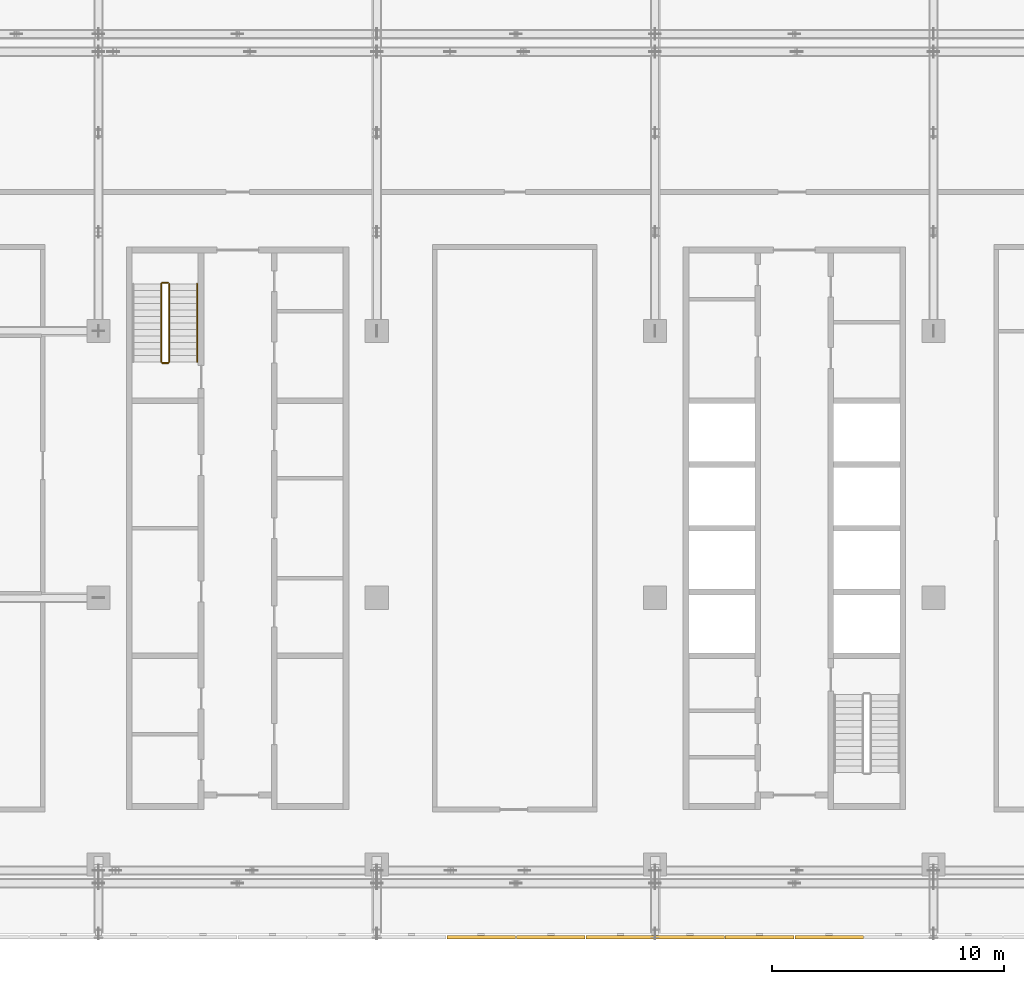
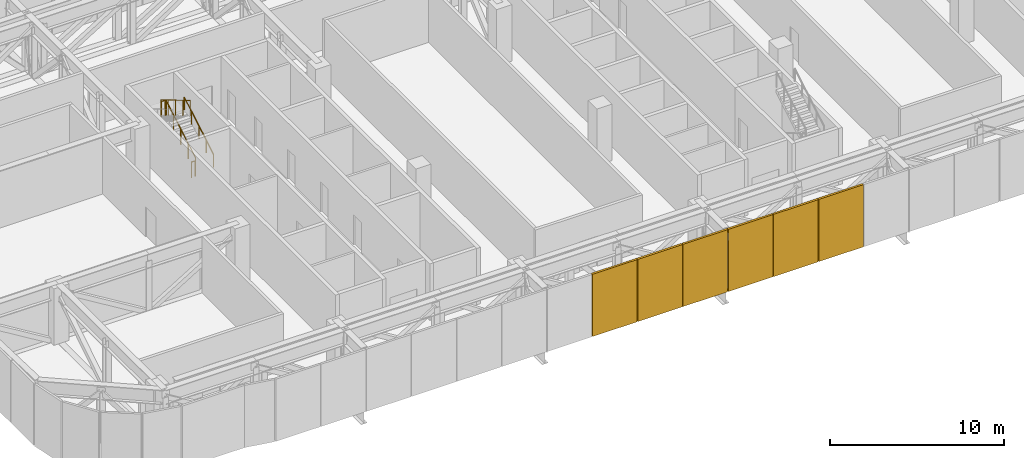
# One storey, part 25 of 29: 6 coverings, 5 railings.
"""IFC4 building model written with IfcOpenShell, lengths in metres."""

from ifc_helpers import new_model, si_unit, direction, frame, origin, origin_2d, place, context, subcontext, project, spatial, rectangle, circle, extrude, material, type_object, element, save


model = new_model("IFC4")

# Units and contexts
model_context = context("Model", 3, precision=1e-05, world=origin(), true_north=direction((0.0, 1.0)))
body_context = subcontext(model_context, "Body", "Model", "MODEL_VIEW")
ifc_project = project(units=[si_unit("LENGTHUNIT", "METRE"), si_unit("AREAUNIT", "SQUARE_METRE"), si_unit("VOLUMEUNIT", "CUBIC_METRE"), si_unit("PLANEANGLEUNIT", "RADIAN"), si_unit("MASSUNIT", "GRAM", prefix="KILO")], contexts=[model_context])

# Site, building, storey
site_placement = place(None, origin())
site = spatial("IfcSite", under=ifc_project, at=site_placement, CompositionType="ELEMENT")
building_placement = place(site_placement, origin())
building = spatial("IfcBuilding", under=site, at=building_placement, Name="Mahtab Terrace Research Tower", CompositionType="ELEMENT")
storey_placement = place(building_placement, frame((0.0, 0.0, 259.0)))
storey = spatial("IfcBuildingStorey", under=building, at=storey_placement, Name="L63", CompositionType="ELEMENT", Elevation=259.0)

# Coverings
ifc_material_1 = material(Name="Natural anodised aluminium", Category="aluminium")
covering_type = type_object("IfcCoveringType", Name="Plant storey louvre bay", PredefinedType="CLADDING", material=ifc_material_1)
for number, where, z_axis, x_axis, name in (
    (1, (-13.5, -14.633056640625, -0.39990234375), (0.0, 0.0, 1.0), (1.0, 0.0, 0.0), "Louvre bay L63 9"),
    (2, (-10.5, -14.633056640625, -0.39990234375), (0.0, 0.0, 1.0), (1.0, 0.0, 0.0), "Louvre bay L63 10"),
    (3, (-7.5, -14.633056640625, -0.39990234375), (0.0, 0.0, 1.0), (1.0, 0.0, 0.0), "Louvre bay L63 11"),
    (4, (-4.5, -14.633056640625, -0.39990234375), (0.0, 0.0, 1.0), (1.0, 0.0, 0.0), "Louvre bay L63 12"),
    (5, (-1.5, -14.633056640625, -0.39990234375), (0.0, 0.0, 1.0), (1.0, 0.0, 0.0), "Louvre bay L63 13"),
    (6, (1.5, -14.633056640625, -0.39990234375), (0.0, 0.0, 1.0), (1.0, 0.0, 0.0), "Louvre bay L63 14"),
):
    element("IfcCovering", number, at=place(storey_placement, frame(where, z_axis=z_axis, x_axis=x_axis)), inside=storey, type_object=covering_type, Name=name, PredefinedType="CLADDING", context=body_context, shape_type="SweptSolid", body=[
        extrude(rectangle(XDim=2.9599609375, YDim=0.139892578125, at=origin_2d()), origin(), (0.0, 0.0, 1.0), 4.360107421875),
    ])

# Railings
ifc_material_2 = material(Name="Stainless steel AISI 304", Category="steel")
railing_type_1 = type_object("IfcRailingType", Name="Stair guard 1100", PredefinedType="GUARDRAIL", material=ifc_material_2)
railing_1_placement = place(storey_placement, frame((-26.949951171875, 10.175048828125, 0.165283203125)))
element("IfcRailing", 7, at=railing_1_placement, inside=storey, type_object=railing_type_1, Name="L63 ST1 stair guard 1", PredefinedType="GUARDRAIL", context=body_context, shape_type="SweptSolid", body=[
    extrude(circle(Radius=0.02392578125, at=origin_2d()), frame((0.0, 0.0, 1.076171875), z_axis=(0.0, 0.861011212953, 0.508585972249), x_axis=(-1.0, 0.0, 0.0)), (0.0, 0.0, 1.0), 3.90234375),
    extrude(circle(Radius=0.02099609375, at=origin_2d()), origin(), (0.0, 0.0, 1.0), 1.052001953125),
    extrude(circle(Radius=0.02099609375, at=origin_2d()), frame((0.0, 0.83984375, 0.49609375)), (0.0, 0.0, 1.0), 1.052001953125),
    extrude(circle(Radius=0.02099609375, at=origin_2d()), frame((0.0, 1.679931640625, 0.9921875)), (0.0, 0.0, 1.0), 1.052001953125),
    extrude(circle(Radius=0.02099609375, at=origin_2d()), frame((0.0, 2.52001953125, 1.488525390625)), (0.0, 0.0, 1.0), 1.052001953125),
    extrude(circle(Radius=0.02099609375, at=origin_2d()), frame((0.0, 3.35986328125, 1.984619140625)), (0.0, 0.0, 1.0), 1.052001953125),
])
railing_2_placement = place(storey_placement, frame((-27.0, 13.5849609375, 2.14990234375)))
element("IfcRailing", 8, at=railing_2_placement, inside=storey, type_object=railing_type_1, Name="L63 ST1 stair guard 2", PredefinedType="GUARDRAIL", context=body_context, shape_type="SweptSolid", body=[
    extrude(circle(Radius=0.02392578125, at=origin_2d()), frame((0.0, 0.0, 1.076171875), z_axis=(-1.0, 0.0, 0.0), x_axis=(0.0, -1.0, 0.0)), (0.0, 0.0, 1.0), 0.25),
    extrude(circle(Radius=0.02099609375, at=origin_2d()), origin(), (0.0, 0.0, 1.0), 1.052001953125),
    extrude(circle(Radius=0.02099609375, at=origin_2d()), frame((-0.25, 0.0, 0.0)), (0.0, 0.0, 1.0), 1.052001953125),
])
railing_3_placement = place(storey_placement, frame((-27.300048828125, 13.534912109375, 2.3154296875)))
element("IfcRailing", 9, at=railing_3_placement, inside=storey, type_object=railing_type_1, Name="L63 ST1 stair guard 3", PredefinedType="GUARDRAIL", context=body_context, shape_type="SweptSolid", body=[
    extrude(circle(Radius=0.02392578125, at=origin_2d()), frame((0.0, 0.0, 1.076171875), z_axis=(0.0, -0.861011212953, 0.508585972249), x_axis=(1.0, 0.0, 0.0)), (0.0, 0.0, 1.0), 3.90234375),
    extrude(circle(Radius=0.02099609375, at=origin_2d()), origin(), (0.0, 0.0, 1.0), 1.052001953125),
    extrude(circle(Radius=0.02099609375, at=origin_2d()), frame((0.0, -0.83984375, 0.49609375)), (0.0, 0.0, 1.0), 1.052001953125),
    extrude(circle(Radius=0.02099609375, at=origin_2d()), frame((0.0, -1.679931640625, 0.9921875)), (0.0, 0.0, 1.0), 1.052001953125),
    extrude(circle(Radius=0.02099609375, at=origin_2d()), frame((0.0, -2.52001953125, 1.488525390625)), (0.0, 0.0, 1.0), 1.052001953125),
    extrude(circle(Radius=0.02099609375, at=origin_2d()), frame((0.0, -3.35986328125, 1.984619140625)), (0.0, 0.0, 1.0), 1.052001953125),
])
railing_4_placement = place(storey_placement, frame((-27.0, 10.125, 0.0)))
element("IfcRailing", 10, at=railing_4_placement, inside=storey, type_object=railing_type_1, Name="L63 ST1 stair guard 4", PredefinedType="GUARDRAIL", context=body_context, shape_type="SweptSolid", body=[
    extrude(circle(Radius=0.02392578125, at=origin_2d()), frame((0.0, 0.0, 1.076171875), z_axis=(-1.0, 0.0, 0.0), x_axis=(0.0, -1.0, 0.0)), (0.0, 0.0, 1.0), 0.25),
    extrude(circle(Radius=0.02099609375, at=origin_2d()), origin(), (0.0, 0.0, 1.0), 1.052001953125),
    extrude(circle(Radius=0.02099609375, at=origin_2d()), frame((-0.25, 0.0, 0.0)), (0.0, 0.0, 1.0), 1.052001953125),
])
railing_type_2 = type_object("IfcRailingType", Name="Stair handrail 900", PredefinedType="HANDRAIL", material=ifc_material_2)
railing_5_placement = place(storey_placement, frame((-25.75, 10.175048828125, 0.165283203125)))
element("IfcRailing", 11, at=railing_5_placement, inside=storey, type_object=railing_type_2, Name="L63 ST1 stair handrail 1", PredefinedType="HANDRAIL", context=body_context, shape_type="SweptSolid", body=[
    extrude(circle(Radius=0.02392578125, at=origin_2d()), frame((0.0, 0.0, 0.8759765625), z_axis=(0.0, 0.861011212953, 0.508585972249), x_axis=(-1.0, 0.0, 0.0)), (0.0, 0.0, 1.0), 3.90234375),
    extrude(circle(Radius=0.02099609375, at=origin_2d()), origin(), (0.0, 0.0, 1.0), 0.851806640625),
    extrude(circle(Radius=0.02099609375, at=origin_2d()), frame((0.0, 0.83984375, 0.49609375)), (0.0, 0.0, 1.0), 0.851806640625),
    extrude(circle(Radius=0.02099609375, at=origin_2d()), frame((0.0, 1.679931640625, 0.9921875)), (0.0, 0.0, 1.0), 0.851806640625),
    extrude(circle(Radius=0.02099609375, at=origin_2d()), frame((0.0, 2.52001953125, 1.488525390625)), (0.0, 0.0, 1.0), 0.851806640625),
    extrude(circle(Radius=0.02099609375, at=origin_2d()), frame((0.0, 3.35986328125, 1.984619140625)), (0.0, 0.0, 1.0), 0.851806640625),
])

save(model, "model.ifc")
